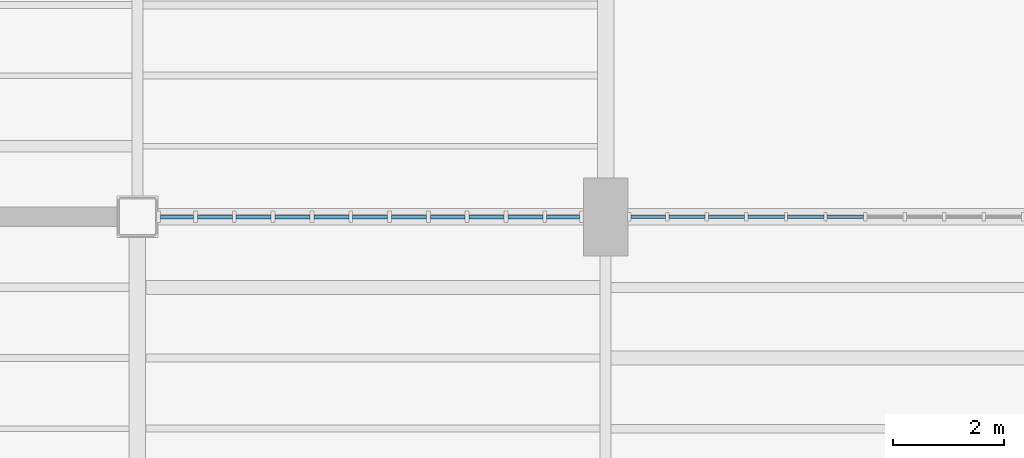
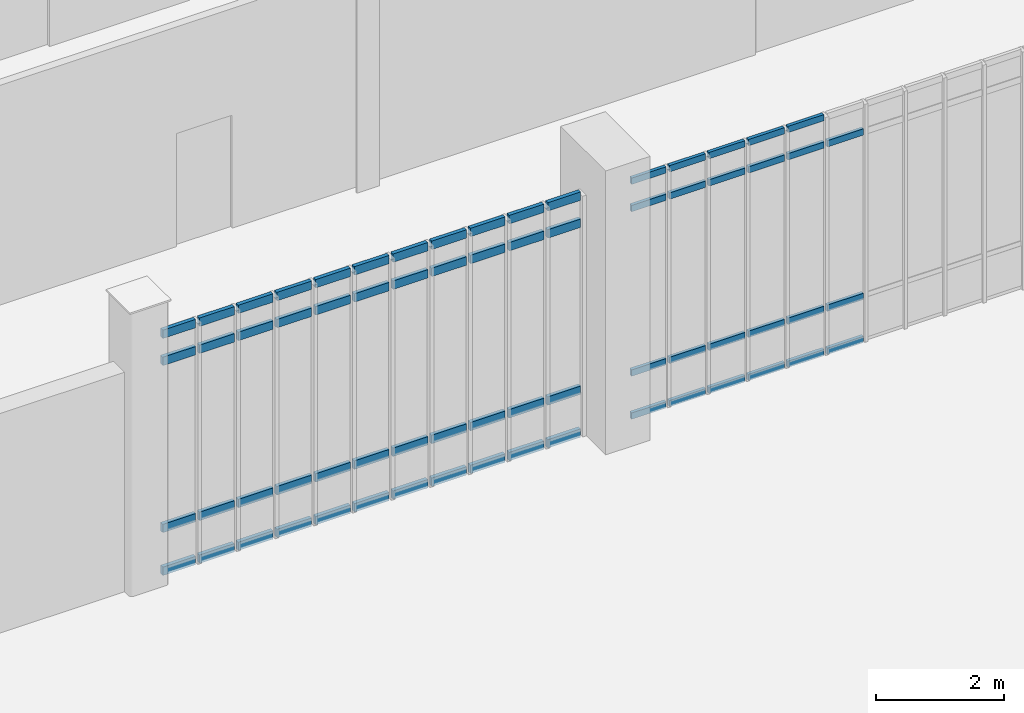
# One storey, part 47 of 127: 67 members, 2 elements without a shape of their own.
"""IFC4 building model written with IfcOpenShell, lengths in metres."""

from ifc_helpers import new_model, si_unit, direction, frame, origin, origin_2d, place, context, subcontext, project, spatial, rectangle, extrude, material, material_profile, profile_set, type_object, element, aggregate, save


model = new_model("IFC4")

# Units and contexts
model_context = context("Model", 3, precision=1e-05, world=origin(), true_north=direction((0.0, 1.0)))
body_context = subcontext(model_context, "Body", "Model", "MODEL_VIEW")
ifc_project = project(units=[si_unit("LENGTHUNIT", "METRE"), si_unit("AREAUNIT", "SQUARE_METRE"), si_unit("VOLUMEUNIT", "CUBIC_METRE"), si_unit("PLANEANGLEUNIT", "RADIAN"), si_unit("MASSUNIT", "GRAM", prefix="KILO")], contexts=[model_context])

# Site, building, storey
site_placement = place(None, origin())
site = spatial("IfcSite", under=ifc_project, at=site_placement, CompositionType="ELEMENT")
building_placement = place(site_placement, origin())
building = spatial("IfcBuilding", under=site, at=building_placement, Name="Larkvane Passage Sports Hall", CompositionType="ELEMENT")
storey_placement = place(building_placement, frame((0.0, 0.0, 5.39990234375)))
storey = spatial("IfcBuildingStorey", under=building, at=storey_placement, Name="L01", CompositionType="ELEMENT", Elevation=5.39990234375)

# Curtain wall, members
ifc_material_1 = material(Name="Thermally broken aluminium and low-E glazing", Category="aluminium")
curtain_wall_type_1 = type_object("IfcCurtainWallType", Name="CW-UNIT-COURT", PredefinedType="USERDEFINED", material=ifc_material_1)
curtain_wall_1_placement = place(storey_placement, origin())
curtain_wall_1 = element("IfcCurtainWall", 1, at=curtain_wall_1_placement, inside=storey, type_object=curtain_wall_type_1, Name="Curtain wall CW5-L01-028", ObjectType="UNITISED CURTAIN WALL", PredefinedType="USERDEFINED")
ifc_material_2 = material(Name="Anodised aluminium 6063-T6", Category="aluminium")
ifc_material_profile_1 = material_profile(ifc_material_2, rectangle(XDim=0.06005859375, YDim=0.1201171875, at=origin_2d()), Name="ALU-TRN-60x120")
ifc_profile_set_1 = profile_set([ifc_material_profile_1], Name="Anodised aluminium 6063-T6")
member_type_1 = type_object("IfcMemberType", Name="CW-TRN-60x120", PredefinedType="USERDEFINED", material=ifc_profile_set_1)
member_1_placement = place(storey_placement, frame((81.4248046875, 15.199951171875, 0.030029296875), z_axis=(-1.0, 0.0, 0.0), x_axis=(0.0, -1.0, 0.0)))
member_1 = element("IfcMember", 2, at=member_1_placement, type_object=member_type_1, Name="CW-01 transom 6.1", ObjectType="TRANSOM", PredefinedType="USERDEFINED", context=body_context, shape_type="SweptSolid", body=[
    extrude(rectangle(XDim=0.06005859375, YDim=0.1201171875, at=origin_2d()), origin(), (0.0, 0.0, 1.0), 0.649658203125),
])
member_2_placement = place(storey_placement, frame((81.4248046875, 15.199951171875, 0.85009765625), z_axis=(-1.0, 0.0, 0.0), x_axis=(0.0, -1.0, 0.0)))
member_2 = element("IfcMember", 3, at=member_2_placement, type_object=member_type_1, Name="CW-01 transom 6.2", ObjectType="TRANSOM", PredefinedType="USERDEFINED", context=body_context, shape_type="SweptSolid", body=[
    extrude(rectangle(XDim=0.06005859375, YDim=0.1201171875, at=origin_2d()), origin(), (0.0, 0.0, 1.0), 0.649658203125),
])
member_3_placement = place(storey_placement, frame((81.4248046875, 15.199951171875, 3.97802734375), z_axis=(-1.0, 0.0, 0.0), x_axis=(0.0, -1.0, 0.0)))
member_3 = element("IfcMember", 4, at=member_3_placement, type_object=member_type_1, Name="CW-01 transom 6.3", ObjectType="TRANSOM", PredefinedType="USERDEFINED", context=body_context, shape_type="SweptSolid", body=[
    extrude(rectangle(XDim=0.06005859375, YDim=0.1201171875, at=origin_2d()), origin(), (0.0, 0.0, 1.0), 0.649658203125),
])
member_4_placement = place(storey_placement, frame((80.715087890625, 15.199951171875, 0.030029296875), z_axis=(-1.0, 0.0, 0.0), x_axis=(0.0, -1.0, 0.0)))
member_4 = element("IfcMember", 5, at=member_4_placement, type_object=member_type_1, Name="CW-01 transom 7.1", ObjectType="TRANSOM", PredefinedType="USERDEFINED", context=body_context, shape_type="SweptSolid", body=[
    extrude(rectangle(XDim=0.06005859375, YDim=0.1201171875, at=origin_2d()), origin(), (0.0, 0.0, 1.0), 0.64990234375),
])
member_5_placement = place(storey_placement, frame((80.715087890625, 15.199951171875, 0.85009765625), z_axis=(-1.0, 0.0, 0.0), x_axis=(0.0, -1.0, 0.0)))
member_5 = element("IfcMember", 6, at=member_5_placement, type_object=member_type_1, Name="CW-01 transom 7.2", ObjectType="TRANSOM", PredefinedType="USERDEFINED", context=body_context, shape_type="SweptSolid", body=[
    extrude(rectangle(XDim=0.06005859375, YDim=0.1201171875, at=origin_2d()), origin(), (0.0, 0.0, 1.0), 0.64990234375),
])
member_6_placement = place(storey_placement, frame((80.715087890625, 15.199951171875, 3.97802734375), z_axis=(-1.0, 0.0, 0.0), x_axis=(0.0, -1.0, 0.0)))
member_6 = element("IfcMember", 7, at=member_6_placement, type_object=member_type_1, Name="CW-01 transom 7.3", ObjectType="TRANSOM", PredefinedType="USERDEFINED", context=body_context, shape_type="SweptSolid", body=[
    extrude(rectangle(XDim=0.06005859375, YDim=0.1201171875, at=origin_2d()), origin(), (0.0, 0.0, 1.0), 0.64990234375),
])
member_7_placement = place(storey_placement, frame((80.715087890625, 15.199951171875, 4.498046875), z_axis=(-1.0, 0.0, 0.0), x_axis=(0.0, -1.0, 0.0)))
member_7 = element("IfcMember", 8, at=member_7_placement, type_object=member_type_1, Name="CW-01 transom 7.4", ObjectType="TRANSOM", PredefinedType="USERDEFINED", context=body_context, shape_type="SweptSolid", body=[
    extrude(rectangle(XDim=0.06005859375, YDim=0.1201171875, at=origin_2d()), origin(), (0.0, 0.0, 1.0), 0.64990234375),
])
member_8_placement = place(storey_placement, frame((80.00537109375, 15.199951171875, 0.030029296875), z_axis=(-1.0, 0.0, 0.0), x_axis=(0.0, -1.0, 0.0)))
member_8 = element("IfcMember", 9, at=member_8_placement, type_object=member_type_1, Name="CW-01 transom 8.1", ObjectType="TRANSOM", PredefinedType="USERDEFINED", context=body_context, shape_type="SweptSolid", body=[
    extrude(rectangle(XDim=0.06005859375, YDim=0.1201171875, at=origin_2d()), origin(), (0.0, 0.0, 1.0), 0.64990234375),
])
member_9_placement = place(storey_placement, frame((80.00537109375, 15.199951171875, 0.85009765625), z_axis=(-1.0, 0.0, 0.0), x_axis=(0.0, -1.0, 0.0)))
member_9 = element("IfcMember", 10, at=member_9_placement, type_object=member_type_1, Name="CW-01 transom 8.2", ObjectType="TRANSOM", PredefinedType="USERDEFINED", context=body_context, shape_type="SweptSolid", body=[
    extrude(rectangle(XDim=0.06005859375, YDim=0.1201171875, at=origin_2d()), origin(), (0.0, 0.0, 1.0), 0.64990234375),
])
member_10_placement = place(storey_placement, frame((80.00537109375, 15.199951171875, 3.97802734375), z_axis=(-1.0, 0.0, 0.0), x_axis=(0.0, -1.0, 0.0)))
member_10 = element("IfcMember", 11, at=member_10_placement, type_object=member_type_1, Name="CW-01 transom 8.3", ObjectType="TRANSOM", PredefinedType="USERDEFINED", context=body_context, shape_type="SweptSolid", body=[
    extrude(rectangle(XDim=0.06005859375, YDim=0.1201171875, at=origin_2d()), origin(), (0.0, 0.0, 1.0), 0.64990234375),
])
member_11_placement = place(storey_placement, frame((80.00537109375, 15.199951171875, 4.498046875), z_axis=(-1.0, 0.0, 0.0), x_axis=(0.0, -1.0, 0.0)))
member_11 = element("IfcMember", 12, at=member_11_placement, type_object=member_type_1, Name="CW-01 transom 8.4", ObjectType="TRANSOM", PredefinedType="USERDEFINED", context=body_context, shape_type="SweptSolid", body=[
    extrude(rectangle(XDim=0.06005859375, YDim=0.1201171875, at=origin_2d()), origin(), (0.0, 0.0, 1.0), 0.64990234375),
])
member_12_placement = place(storey_placement, frame((79.29541015625, 15.199951171875, 0.030029296875), z_axis=(-1.0, 0.0, 0.0), x_axis=(0.0, -1.0, 0.0)))
member_12 = element("IfcMember", 13, at=member_12_placement, type_object=member_type_1, Name="CW-01 transom 9.1", ObjectType="TRANSOM", PredefinedType="USERDEFINED", context=body_context, shape_type="SweptSolid", body=[
    extrude(rectangle(XDim=0.06005859375, YDim=0.1201171875, at=origin_2d()), origin(), (0.0, 0.0, 1.0), 0.649658203125),
])
member_13_placement = place(storey_placement, frame((79.29541015625, 15.199951171875, 0.85009765625), z_axis=(-1.0, 0.0, 0.0), x_axis=(0.0, -1.0, 0.0)))
member_13 = element("IfcMember", 14, at=member_13_placement, type_object=member_type_1, Name="CW-01 transom 9.2", ObjectType="TRANSOM", PredefinedType="USERDEFINED", context=body_context, shape_type="SweptSolid", body=[
    extrude(rectangle(XDim=0.06005859375, YDim=0.1201171875, at=origin_2d()), origin(), (0.0, 0.0, 1.0), 0.649658203125),
])
member_14_placement = place(storey_placement, frame((79.29541015625, 15.199951171875, 3.97802734375), z_axis=(-1.0, 0.0, 0.0), x_axis=(0.0, -1.0, 0.0)))
member_14 = element("IfcMember", 15, at=member_14_placement, type_object=member_type_1, Name="CW-01 transom 9.3", ObjectType="TRANSOM", PredefinedType="USERDEFINED", context=body_context, shape_type="SweptSolid", body=[
    extrude(rectangle(XDim=0.06005859375, YDim=0.1201171875, at=origin_2d()), origin(), (0.0, 0.0, 1.0), 0.649658203125),
])
member_15_placement = place(storey_placement, frame((79.29541015625, 15.199951171875, 4.498046875), z_axis=(-1.0, 0.0, 0.0), x_axis=(0.0, -1.0, 0.0)))
member_15 = element("IfcMember", 16, at=member_15_placement, type_object=member_type_1, Name="CW-01 transom 9.4", ObjectType="TRANSOM", PredefinedType="USERDEFINED", context=body_context, shape_type="SweptSolid", body=[
    extrude(rectangle(XDim=0.06005859375, YDim=0.1201171875, at=origin_2d()), origin(), (0.0, 0.0, 1.0), 0.649658203125),
])
member_16_placement = place(storey_placement, frame((78.585693359375, 15.199951171875, 0.030029296875), z_axis=(-1.0, 0.0, 0.0), x_axis=(0.0, -1.0, 0.0)))
member_16 = element("IfcMember", 17, at=member_16_placement, type_object=member_type_1, Name="CW-01 transom 10.1", ObjectType="TRANSOM", PredefinedType="USERDEFINED", context=body_context, shape_type="SweptSolid", body=[
    extrude(rectangle(XDim=0.06005859375, YDim=0.1201171875, at=origin_2d()), origin(), (0.0, 0.0, 1.0), 0.64990234375),
])
member_17_placement = place(storey_placement, frame((78.585693359375, 15.199951171875, 0.85009765625), z_axis=(-1.0, 0.0, 0.0), x_axis=(0.0, -1.0, 0.0)))
member_17 = element("IfcMember", 18, at=member_17_placement, type_object=member_type_1, Name="CW-01 transom 10.2", ObjectType="TRANSOM", PredefinedType="USERDEFINED", context=body_context, shape_type="SweptSolid", body=[
    extrude(rectangle(XDim=0.06005859375, YDim=0.1201171875, at=origin_2d()), origin(), (0.0, 0.0, 1.0), 0.64990234375),
])
member_18_placement = place(storey_placement, frame((78.585693359375, 15.199951171875, 3.97802734375), z_axis=(-1.0, 0.0, 0.0), x_axis=(0.0, -1.0, 0.0)))
member_18 = element("IfcMember", 19, at=member_18_placement, type_object=member_type_1, Name="CW-01 transom 10.3", ObjectType="TRANSOM", PredefinedType="USERDEFINED", context=body_context, shape_type="SweptSolid", body=[
    extrude(rectangle(XDim=0.06005859375, YDim=0.1201171875, at=origin_2d()), origin(), (0.0, 0.0, 1.0), 0.64990234375),
])
member_19_placement = place(storey_placement, frame((78.585693359375, 15.199951171875, 4.498046875), z_axis=(-1.0, 0.0, 0.0), x_axis=(0.0, -1.0, 0.0)))
member_19 = element("IfcMember", 20, at=member_19_placement, type_object=member_type_1, Name="CW-01 transom 10.4", ObjectType="TRANSOM", PredefinedType="USERDEFINED", context=body_context, shape_type="SweptSolid", body=[
    extrude(rectangle(XDim=0.06005859375, YDim=0.1201171875, at=origin_2d()), origin(), (0.0, 0.0, 1.0), 0.64990234375),
])
member_20_placement = place(storey_placement, frame((77.875732421875, 15.199951171875, 0.030029296875), z_axis=(-1.0, 0.0, 0.0), x_axis=(0.0, -1.0, 0.0)))
member_20 = element("IfcMember", 21, at=member_20_placement, type_object=member_type_1, Name="CW-01 transom 11.1", ObjectType="TRANSOM", PredefinedType="USERDEFINED", context=body_context, shape_type="SweptSolid", body=[
    extrude(rectangle(XDim=0.06005859375, YDim=0.1201171875, at=origin_2d()), origin(), (0.0, 0.0, 1.0), 0.61962890625),
])
member_21_placement = place(storey_placement, frame((77.875732421875, 15.199951171875, 0.85009765625), z_axis=(-1.0, 0.0, 0.0), x_axis=(0.0, -1.0, 0.0)))
member_21 = element("IfcMember", 22, at=member_21_placement, type_object=member_type_1, Name="CW-01 transom 11.2", ObjectType="TRANSOM", PredefinedType="USERDEFINED", context=body_context, shape_type="SweptSolid", body=[
    extrude(rectangle(XDim=0.06005859375, YDim=0.1201171875, at=origin_2d()), origin(), (0.0, 0.0, 1.0), 0.61962890625),
])
member_22_placement = place(storey_placement, frame((77.875732421875, 15.199951171875, 3.97802734375), z_axis=(-1.0, 0.0, 0.0), x_axis=(0.0, -1.0, 0.0)))
member_22 = element("IfcMember", 23, at=member_22_placement, type_object=member_type_1, Name="CW-01 transom 11.3", ObjectType="TRANSOM", PredefinedType="USERDEFINED", context=body_context, shape_type="SweptSolid", body=[
    extrude(rectangle(XDim=0.06005859375, YDim=0.1201171875, at=origin_2d()), origin(), (0.0, 0.0, 1.0), 0.61962890625),
])
member_23_placement = place(storey_placement, frame((77.875732421875, 15.199951171875, 4.498046875), z_axis=(-1.0, 0.0, 0.0), x_axis=(0.0, -1.0, 0.0)))
member_23 = element("IfcMember", 24, at=member_23_placement, type_object=member_type_1, Name="CW-01 transom 11.4", ObjectType="TRANSOM", PredefinedType="USERDEFINED", context=body_context, shape_type="SweptSolid", body=[
    extrude(rectangle(XDim=0.06005859375, YDim=0.1201171875, at=origin_2d()), origin(), (0.0, 0.0, 1.0), 0.61962890625),
])
aggregate(curtain_wall_1, [member_1, member_2, member_3, member_4, member_5, member_6, member_7, member_8, member_9, member_10, member_11, member_12, member_13, member_14, member_15, member_16, member_17, member_18, member_19, member_20, member_21, member_22, member_23])

curtain_wall_type_2 = type_object("IfcCurtainWallType", Name="CW-UNIT-VEIL", PredefinedType="USERDEFINED", material=ifc_material_1)
curtain_wall_2_placement = place(storey_placement, origin())
curtain_wall_2 = element("IfcCurtainWall", 25, at=curtain_wall_2_placement, inside=storey, type_object=curtain_wall_type_2, Name="Curtain wall CW5-L01-029", ObjectType="UNITISED CURTAIN WALL", PredefinedType="USERDEFINED")
ifc_material_profile_2 = material_profile(ifc_material_2, rectangle(XDim=0.070068359375, YDim=0.159912109375, at=origin_2d()), Name="ALU-TRN-70x160")
ifc_profile_set_2 = profile_set([ifc_material_profile_2], Name="Anodised aluminium 6063-T6")
member_type_2 = type_object("IfcMemberType", Name="CW-TRN-70x160", PredefinedType="USERDEFINED", material=ifc_profile_set_2)
member_24_placement = place(storey_placement, frame((76.333984375, 15.199951171875, 0.03515625), z_axis=(-1.0, 0.0, 0.0), x_axis=(0.0, -1.0, 0.0)))
member_24 = element("IfcMember", 26, at=member_24_placement, type_object=member_type_2, Name="CW-02 transom 1.1", ObjectType="TRANSOM", PredefinedType="USERDEFINED", context=body_context, shape_type="SweptSolid", body=[
    extrude(rectangle(XDim=0.070068359375, YDim=0.159912109375, at=origin_2d()), origin(), (0.0, 0.0, 1.0), 0.591064453125),
])
member_25_placement = place(storey_placement, frame((76.333984375, 15.199951171875, 0.85009765625), z_axis=(-1.0, 0.0, 0.0), x_axis=(0.0, -1.0, 0.0)))
member_25 = element("IfcMember", 27, at=member_25_placement, type_object=member_type_2, Name="CW-02 transom 1.2", ObjectType="TRANSOM", PredefinedType="USERDEFINED", context=body_context, shape_type="SweptSolid", body=[
    extrude(rectangle(XDim=0.070068359375, YDim=0.159912109375, at=origin_2d()), origin(), (0.0, 0.0, 1.0), 0.591064453125),
])
member_26_placement = place(storey_placement, frame((76.333984375, 15.199951171875, 4.028076171875), z_axis=(-1.0, 0.0, 0.0), x_axis=(0.0, -1.0, 0.0)))
member_26 = element("IfcMember", 28, at=member_26_placement, type_object=member_type_2, Name="CW-02 transom 1.3", ObjectType="TRANSOM", PredefinedType="USERDEFINED", context=body_context, shape_type="SweptSolid", body=[
    extrude(rectangle(XDim=0.070068359375, YDim=0.159912109375, at=origin_2d()), origin(), (0.0, 0.0, 1.0), 0.591064453125),
])
member_27_placement = place(storey_placement, frame((76.333984375, 15.199951171875, 4.543212890625), z_axis=(-1.0, 0.0, 0.0), x_axis=(0.0, -1.0, 0.0)))
member_27 = element("IfcMember", 29, at=member_27_placement, type_object=member_type_2, Name="CW-02 transom 1.4", ObjectType="TRANSOM", PredefinedType="USERDEFINED", context=body_context, shape_type="SweptSolid", body=[
    extrude(rectangle(XDim=0.070068359375, YDim=0.159912109375, at=origin_2d()), origin(), (0.0, 0.0, 1.0), 0.591064453125),
])
member_28_placement = place(storey_placement, frame((75.6728515625, 15.199951171875, 0.03515625), z_axis=(-1.0, 0.0, 0.0), x_axis=(0.0, -1.0, 0.0)))
member_28 = element("IfcMember", 30, at=member_28_placement, type_object=member_type_2, Name="CW-02 transom 2.1", ObjectType="TRANSOM", PredefinedType="USERDEFINED", context=body_context, shape_type="SweptSolid", body=[
    extrude(rectangle(XDim=0.070068359375, YDim=0.159912109375, at=origin_2d()), origin(), (0.0, 0.0, 1.0), 0.626220703125),
])
member_29_placement = place(storey_placement, frame((75.6728515625, 15.199951171875, 0.85009765625), z_axis=(-1.0, 0.0, 0.0), x_axis=(0.0, -1.0, 0.0)))
member_29 = element("IfcMember", 31, at=member_29_placement, type_object=member_type_2, Name="CW-02 transom 2.2", ObjectType="TRANSOM", PredefinedType="USERDEFINED", context=body_context, shape_type="SweptSolid", body=[
    extrude(rectangle(XDim=0.070068359375, YDim=0.159912109375, at=origin_2d()), origin(), (0.0, 0.0, 1.0), 0.626220703125),
])
member_30_placement = place(storey_placement, frame((75.6728515625, 15.199951171875, 4.028076171875), z_axis=(-1.0, 0.0, 0.0), x_axis=(0.0, -1.0, 0.0)))
member_30 = element("IfcMember", 32, at=member_30_placement, type_object=member_type_2, Name="CW-02 transom 2.3", ObjectType="TRANSOM", PredefinedType="USERDEFINED", context=body_context, shape_type="SweptSolid", body=[
    extrude(rectangle(XDim=0.070068359375, YDim=0.159912109375, at=origin_2d()), origin(), (0.0, 0.0, 1.0), 0.626220703125),
])
member_31_placement = place(storey_placement, frame((75.6728515625, 15.199951171875, 4.543212890625), z_axis=(-1.0, 0.0, 0.0), x_axis=(0.0, -1.0, 0.0)))
member_31 = element("IfcMember", 33, at=member_31_placement, type_object=member_type_2, Name="CW-02 transom 2.4", ObjectType="TRANSOM", PredefinedType="USERDEFINED", context=body_context, shape_type="SweptSolid", body=[
    extrude(rectangle(XDim=0.070068359375, YDim=0.159912109375, at=origin_2d()), origin(), (0.0, 0.0, 1.0), 0.626220703125),
])
member_32_placement = place(storey_placement, frame((74.9765625, 15.199951171875, 0.03515625), z_axis=(-1.0, 0.0, 0.0), x_axis=(0.0, -1.0, 0.0)))
member_32 = element("IfcMember", 34, at=member_32_placement, type_object=member_type_2, Name="CW-02 transom 3.1", ObjectType="TRANSOM", PredefinedType="USERDEFINED", context=body_context, shape_type="SweptSolid", body=[
    extrude(rectangle(XDim=0.070068359375, YDim=0.159912109375, at=origin_2d()), origin(), (0.0, 0.0, 1.0), 0.626220703125),
])
member_33_placement = place(storey_placement, frame((74.9765625, 15.199951171875, 0.85009765625), z_axis=(-1.0, 0.0, 0.0), x_axis=(0.0, -1.0, 0.0)))
member_33 = element("IfcMember", 35, at=member_33_placement, type_object=member_type_2, Name="CW-02 transom 3.2", ObjectType="TRANSOM", PredefinedType="USERDEFINED", context=body_context, shape_type="SweptSolid", body=[
    extrude(rectangle(XDim=0.070068359375, YDim=0.159912109375, at=origin_2d()), origin(), (0.0, 0.0, 1.0), 0.626220703125),
])
member_34_placement = place(storey_placement, frame((74.9765625, 15.199951171875, 4.028076171875), z_axis=(-1.0, 0.0, 0.0), x_axis=(0.0, -1.0, 0.0)))
member_34 = element("IfcMember", 36, at=member_34_placement, type_object=member_type_2, Name="CW-02 transom 3.3", ObjectType="TRANSOM", PredefinedType="USERDEFINED", context=body_context, shape_type="SweptSolid", body=[
    extrude(rectangle(XDim=0.070068359375, YDim=0.159912109375, at=origin_2d()), origin(), (0.0, 0.0, 1.0), 0.626220703125),
])
member_35_placement = place(storey_placement, frame((74.9765625, 15.199951171875, 4.543212890625), z_axis=(-1.0, 0.0, 0.0), x_axis=(0.0, -1.0, 0.0)))
member_35 = element("IfcMember", 37, at=member_35_placement, type_object=member_type_2, Name="CW-02 transom 3.4", ObjectType="TRANSOM", PredefinedType="USERDEFINED", context=body_context, shape_type="SweptSolid", body=[
    extrude(rectangle(XDim=0.070068359375, YDim=0.159912109375, at=origin_2d()), origin(), (0.0, 0.0, 1.0), 0.626220703125),
])
member_36_placement = place(storey_placement, frame((74.280517578125, 15.199951171875, 0.03515625), z_axis=(-1.0, 0.0, 0.0), x_axis=(0.0, -1.0, 0.0)))
member_36 = element("IfcMember", 38, at=member_36_placement, type_object=member_type_2, Name="CW-02 transom 4.1", ObjectType="TRANSOM", PredefinedType="USERDEFINED", context=body_context, shape_type="SweptSolid", body=[
    extrude(rectangle(XDim=0.070068359375, YDim=0.159912109375, at=origin_2d()), origin(), (0.0, 0.0, 1.0), 0.626220703125),
])
member_37_placement = place(storey_placement, frame((74.280517578125, 15.199951171875, 0.85009765625), z_axis=(-1.0, 0.0, 0.0), x_axis=(0.0, -1.0, 0.0)))
member_37 = element("IfcMember", 39, at=member_37_placement, type_object=member_type_2, Name="CW-02 transom 4.2", ObjectType="TRANSOM", PredefinedType="USERDEFINED", context=body_context, shape_type="SweptSolid", body=[
    extrude(rectangle(XDim=0.070068359375, YDim=0.159912109375, at=origin_2d()), origin(), (0.0, 0.0, 1.0), 0.626220703125),
])
member_38_placement = place(storey_placement, frame((74.280517578125, 15.199951171875, 4.028076171875), z_axis=(-1.0, 0.0, 0.0), x_axis=(0.0, -1.0, 0.0)))
member_38 = element("IfcMember", 40, at=member_38_placement, type_object=member_type_2, Name="CW-02 transom 4.3", ObjectType="TRANSOM", PredefinedType="USERDEFINED", context=body_context, shape_type="SweptSolid", body=[
    extrude(rectangle(XDim=0.070068359375, YDim=0.159912109375, at=origin_2d()), origin(), (0.0, 0.0, 1.0), 0.626220703125),
])
member_39_placement = place(storey_placement, frame((74.280517578125, 15.199951171875, 4.543212890625), z_axis=(-1.0, 0.0, 0.0), x_axis=(0.0, -1.0, 0.0)))
member_39 = element("IfcMember", 41, at=member_39_placement, type_object=member_type_2, Name="CW-02 transom 4.4", ObjectType="TRANSOM", PredefinedType="USERDEFINED", context=body_context, shape_type="SweptSolid", body=[
    extrude(rectangle(XDim=0.070068359375, YDim=0.159912109375, at=origin_2d()), origin(), (0.0, 0.0, 1.0), 0.626220703125),
])
member_40_placement = place(storey_placement, frame((73.584228515625, 15.199951171875, 0.03515625), z_axis=(-1.0, 0.0, 0.0), x_axis=(0.0, -1.0, 0.0)))
member_40 = element("IfcMember", 42, at=member_40_placement, type_object=member_type_2, Name="CW-02 transom 5.1", ObjectType="TRANSOM", PredefinedType="USERDEFINED", context=body_context, shape_type="SweptSolid", body=[
    extrude(rectangle(XDim=0.070068359375, YDim=0.159912109375, at=origin_2d()), origin(), (0.0, 0.0, 1.0), 0.626220703125),
])
member_41_placement = place(storey_placement, frame((73.584228515625, 15.199951171875, 0.85009765625), z_axis=(-1.0, 0.0, 0.0), x_axis=(0.0, -1.0, 0.0)))
member_41 = element("IfcMember", 43, at=member_41_placement, type_object=member_type_2, Name="CW-02 transom 5.2", ObjectType="TRANSOM", PredefinedType="USERDEFINED", context=body_context, shape_type="SweptSolid", body=[
    extrude(rectangle(XDim=0.070068359375, YDim=0.159912109375, at=origin_2d()), origin(), (0.0, 0.0, 1.0), 0.626220703125),
])
member_42_placement = place(storey_placement, frame((73.584228515625, 15.199951171875, 4.028076171875), z_axis=(-1.0, 0.0, 0.0), x_axis=(0.0, -1.0, 0.0)))
member_42 = element("IfcMember", 44, at=member_42_placement, type_object=member_type_2, Name="CW-02 transom 5.3", ObjectType="TRANSOM", PredefinedType="USERDEFINED", context=body_context, shape_type="SweptSolid", body=[
    extrude(rectangle(XDim=0.070068359375, YDim=0.159912109375, at=origin_2d()), origin(), (0.0, 0.0, 1.0), 0.626220703125),
])
member_43_placement = place(storey_placement, frame((73.584228515625, 15.199951171875, 4.543212890625), z_axis=(-1.0, 0.0, 0.0), x_axis=(0.0, -1.0, 0.0)))
member_43 = element("IfcMember", 45, at=member_43_placement, type_object=member_type_2, Name="CW-02 transom 5.4", ObjectType="TRANSOM", PredefinedType="USERDEFINED", context=body_context, shape_type="SweptSolid", body=[
    extrude(rectangle(XDim=0.070068359375, YDim=0.159912109375, at=origin_2d()), origin(), (0.0, 0.0, 1.0), 0.626220703125),
])
member_44_placement = place(storey_placement, frame((72.88818359375, 15.199951171875, 0.03515625), z_axis=(-1.0, 0.0, 0.0), x_axis=(0.0, -1.0, 0.0)))
member_44 = element("IfcMember", 46, at=member_44_placement, type_object=member_type_2, Name="CW-02 transom 6.1", ObjectType="TRANSOM", PredefinedType="USERDEFINED", context=body_context, shape_type="SweptSolid", body=[
    extrude(rectangle(XDim=0.070068359375, YDim=0.159912109375, at=origin_2d()), origin(), (0.0, 0.0, 1.0), 0.626220703125),
])
member_45_placement = place(storey_placement, frame((72.88818359375, 15.199951171875, 0.85009765625), z_axis=(-1.0, 0.0, 0.0), x_axis=(0.0, -1.0, 0.0)))
member_45 = element("IfcMember", 47, at=member_45_placement, type_object=member_type_2, Name="CW-02 transom 6.2", ObjectType="TRANSOM", PredefinedType="USERDEFINED", context=body_context, shape_type="SweptSolid", body=[
    extrude(rectangle(XDim=0.070068359375, YDim=0.159912109375, at=origin_2d()), origin(), (0.0, 0.0, 1.0), 0.626220703125),
])
member_46_placement = place(storey_placement, frame((72.88818359375, 15.199951171875, 4.028076171875), z_axis=(-1.0, 0.0, 0.0), x_axis=(0.0, -1.0, 0.0)))
member_46 = element("IfcMember", 48, at=member_46_placement, type_object=member_type_2, Name="CW-02 transom 6.3", ObjectType="TRANSOM", PredefinedType="USERDEFINED", context=body_context, shape_type="SweptSolid", body=[
    extrude(rectangle(XDim=0.070068359375, YDim=0.159912109375, at=origin_2d()), origin(), (0.0, 0.0, 1.0), 0.626220703125),
])
member_47_placement = place(storey_placement, frame((72.88818359375, 15.199951171875, 4.543212890625), z_axis=(-1.0, 0.0, 0.0), x_axis=(0.0, -1.0, 0.0)))
member_47 = element("IfcMember", 49, at=member_47_placement, type_object=member_type_2, Name="CW-02 transom 6.4", ObjectType="TRANSOM", PredefinedType="USERDEFINED", context=body_context, shape_type="SweptSolid", body=[
    extrude(rectangle(XDim=0.070068359375, YDim=0.159912109375, at=origin_2d()), origin(), (0.0, 0.0, 1.0), 0.626220703125),
])
member_48_placement = place(storey_placement, frame((72.19189453125, 15.199951171875, 0.03515625), z_axis=(-1.0, 0.0, 0.0), x_axis=(0.0, -1.0, 0.0)))
member_48 = element("IfcMember", 50, at=member_48_placement, type_object=member_type_2, Name="CW-02 transom 7.1", ObjectType="TRANSOM", PredefinedType="USERDEFINED", context=body_context, shape_type="SweptSolid", body=[
    extrude(rectangle(XDim=0.070068359375, YDim=0.159912109375, at=origin_2d()), origin(), (0.0, 0.0, 1.0), 0.626220703125),
])
member_49_placement = place(storey_placement, frame((72.19189453125, 15.199951171875, 0.85009765625), z_axis=(-1.0, 0.0, 0.0), x_axis=(0.0, -1.0, 0.0)))
member_49 = element("IfcMember", 51, at=member_49_placement, type_object=member_type_2, Name="CW-02 transom 7.2", ObjectType="TRANSOM", PredefinedType="USERDEFINED", context=body_context, shape_type="SweptSolid", body=[
    extrude(rectangle(XDim=0.070068359375, YDim=0.159912109375, at=origin_2d()), origin(), (0.0, 0.0, 1.0), 0.626220703125),
])
member_50_placement = place(storey_placement, frame((72.19189453125, 15.199951171875, 4.028076171875), z_axis=(-1.0, 0.0, 0.0), x_axis=(0.0, -1.0, 0.0)))
member_50 = element("IfcMember", 52, at=member_50_placement, type_object=member_type_2, Name="CW-02 transom 7.3", ObjectType="TRANSOM", PredefinedType="USERDEFINED", context=body_context, shape_type="SweptSolid", body=[
    extrude(rectangle(XDim=0.070068359375, YDim=0.159912109375, at=origin_2d()), origin(), (0.0, 0.0, 1.0), 0.626220703125),
])
member_51_placement = place(storey_placement, frame((72.19189453125, 15.199951171875, 4.543212890625), z_axis=(-1.0, 0.0, 0.0), x_axis=(0.0, -1.0, 0.0)))
member_51 = element("IfcMember", 53, at=member_51_placement, type_object=member_type_2, Name="CW-02 transom 7.4", ObjectType="TRANSOM", PredefinedType="USERDEFINED", context=body_context, shape_type="SweptSolid", body=[
    extrude(rectangle(XDim=0.070068359375, YDim=0.159912109375, at=origin_2d()), origin(), (0.0, 0.0, 1.0), 0.626220703125),
])
member_52_placement = place(storey_placement, frame((71.49560546875, 15.199951171875, 0.03515625), z_axis=(-1.0, 0.0, 0.0), x_axis=(0.0, -1.0, 0.0)))
member_52 = element("IfcMember", 54, at=member_52_placement, type_object=member_type_2, Name="CW-02 transom 8.1", ObjectType="TRANSOM", PredefinedType="USERDEFINED", context=body_context, shape_type="SweptSolid", body=[
    extrude(rectangle(XDim=0.070068359375, YDim=0.159912109375, at=origin_2d()), origin(), (0.0, 0.0, 1.0), 0.6259765625),
])
member_53_placement = place(storey_placement, frame((71.49560546875, 15.199951171875, 0.85009765625), z_axis=(-1.0, 0.0, 0.0), x_axis=(0.0, -1.0, 0.0)))
member_53 = element("IfcMember", 55, at=member_53_placement, type_object=member_type_2, Name="CW-02 transom 8.2", ObjectType="TRANSOM", PredefinedType="USERDEFINED", context=body_context, shape_type="SweptSolid", body=[
    extrude(rectangle(XDim=0.070068359375, YDim=0.159912109375, at=origin_2d()), origin(), (0.0, 0.0, 1.0), 0.6259765625),
])
member_54_placement = place(storey_placement, frame((71.49560546875, 15.199951171875, 4.028076171875), z_axis=(-1.0, 0.0, 0.0), x_axis=(0.0, -1.0, 0.0)))
member_54 = element("IfcMember", 56, at=member_54_placement, type_object=member_type_2, Name="CW-02 transom 8.3", ObjectType="TRANSOM", PredefinedType="USERDEFINED", context=body_context, shape_type="SweptSolid", body=[
    extrude(rectangle(XDim=0.070068359375, YDim=0.159912109375, at=origin_2d()), origin(), (0.0, 0.0, 1.0), 0.6259765625),
])
member_55_placement = place(storey_placement, frame((71.49560546875, 15.199951171875, 4.543212890625), z_axis=(-1.0, 0.0, 0.0), x_axis=(0.0, -1.0, 0.0)))
member_55 = element("IfcMember", 57, at=member_55_placement, type_object=member_type_2, Name="CW-02 transom 8.4", ObjectType="TRANSOM", PredefinedType="USERDEFINED", context=body_context, shape_type="SweptSolid", body=[
    extrude(rectangle(XDim=0.070068359375, YDim=0.159912109375, at=origin_2d()), origin(), (0.0, 0.0, 1.0), 0.6259765625),
])
member_56_placement = place(storey_placement, frame((70.799560546875, 15.199951171875, 0.03515625), z_axis=(-1.0, 0.0, 0.0), x_axis=(0.0, -1.0, 0.0)))
member_56 = element("IfcMember", 58, at=member_56_placement, type_object=member_type_2, Name="CW-02 transom 9.1", ObjectType="TRANSOM", PredefinedType="USERDEFINED", context=body_context, shape_type="SweptSolid", body=[
    extrude(rectangle(XDim=0.070068359375, YDim=0.159912109375, at=origin_2d()), origin(), (0.0, 0.0, 1.0), 0.626220703125),
])
member_57_placement = place(storey_placement, frame((70.799560546875, 15.199951171875, 0.85009765625), z_axis=(-1.0, 0.0, 0.0), x_axis=(0.0, -1.0, 0.0)))
member_57 = element("IfcMember", 59, at=member_57_placement, type_object=member_type_2, Name="CW-02 transom 9.2", ObjectType="TRANSOM", PredefinedType="USERDEFINED", context=body_context, shape_type="SweptSolid", body=[
    extrude(rectangle(XDim=0.070068359375, YDim=0.159912109375, at=origin_2d()), origin(), (0.0, 0.0, 1.0), 0.626220703125),
])
member_58_placement = place(storey_placement, frame((70.799560546875, 15.199951171875, 4.028076171875), z_axis=(-1.0, 0.0, 0.0), x_axis=(0.0, -1.0, 0.0)))
member_58 = element("IfcMember", 60, at=member_58_placement, type_object=member_type_2, Name="CW-02 transom 9.3", ObjectType="TRANSOM", PredefinedType="USERDEFINED", context=body_context, shape_type="SweptSolid", body=[
    extrude(rectangle(XDim=0.070068359375, YDim=0.159912109375, at=origin_2d()), origin(), (0.0, 0.0, 1.0), 0.626220703125),
])
member_59_placement = place(storey_placement, frame((70.799560546875, 15.199951171875, 4.543212890625), z_axis=(-1.0, 0.0, 0.0), x_axis=(0.0, -1.0, 0.0)))
member_59 = element("IfcMember", 61, at=member_59_placement, type_object=member_type_2, Name="CW-02 transom 9.4", ObjectType="TRANSOM", PredefinedType="USERDEFINED", context=body_context, shape_type="SweptSolid", body=[
    extrude(rectangle(XDim=0.070068359375, YDim=0.159912109375, at=origin_2d()), origin(), (0.0, 0.0, 1.0), 0.626220703125),
])
member_60_placement = place(storey_placement, frame((70.103271484375, 15.199951171875, 0.03515625), z_axis=(-1.0, 0.0, 0.0), x_axis=(0.0, -1.0, 0.0)))
member_60 = element("IfcMember", 62, at=member_60_placement, type_object=member_type_2, Name="CW-02 transom 10.1", ObjectType="TRANSOM", PredefinedType="USERDEFINED", context=body_context, shape_type="SweptSolid", body=[
    extrude(rectangle(XDim=0.070068359375, YDim=0.159912109375, at=origin_2d()), origin(), (0.0, 0.0, 1.0), 0.6259765625),
])
member_61_placement = place(storey_placement, frame((70.103271484375, 15.199951171875, 0.85009765625), z_axis=(-1.0, 0.0, 0.0), x_axis=(0.0, -1.0, 0.0)))
member_61 = element("IfcMember", 63, at=member_61_placement, type_object=member_type_2, Name="CW-02 transom 10.2", ObjectType="TRANSOM", PredefinedType="USERDEFINED", context=body_context, shape_type="SweptSolid", body=[
    extrude(rectangle(XDim=0.070068359375, YDim=0.159912109375, at=origin_2d()), origin(), (0.0, 0.0, 1.0), 0.6259765625),
])
member_62_placement = place(storey_placement, frame((70.103271484375, 15.199951171875, 4.028076171875), z_axis=(-1.0, 0.0, 0.0), x_axis=(0.0, -1.0, 0.0)))
member_62 = element("IfcMember", 64, at=member_62_placement, type_object=member_type_2, Name="CW-02 transom 10.3", ObjectType="TRANSOM", PredefinedType="USERDEFINED", context=body_context, shape_type="SweptSolid", body=[
    extrude(rectangle(XDim=0.070068359375, YDim=0.159912109375, at=origin_2d()), origin(), (0.0, 0.0, 1.0), 0.6259765625),
])
member_63_placement = place(storey_placement, frame((70.103271484375, 15.199951171875, 4.543212890625), z_axis=(-1.0, 0.0, 0.0), x_axis=(0.0, -1.0, 0.0)))
member_63 = element("IfcMember", 65, at=member_63_placement, type_object=member_type_2, Name="CW-02 transom 10.4", ObjectType="TRANSOM", PredefinedType="USERDEFINED", context=body_context, shape_type="SweptSolid", body=[
    extrude(rectangle(XDim=0.070068359375, YDim=0.159912109375, at=origin_2d()), origin(), (0.0, 0.0, 1.0), 0.6259765625),
])
member_64_placement = place(storey_placement, frame((69.4072265625, 15.199951171875, 0.03515625), z_axis=(-1.0, 0.0, 0.0), x_axis=(0.0, -1.0, 0.0)))
member_64 = element("IfcMember", 66, at=member_64_placement, type_object=member_type_2, Name="CW-02 transom 11.1", ObjectType="TRANSOM", PredefinedType="USERDEFINED", context=body_context, shape_type="SweptSolid", body=[
    extrude(rectangle(XDim=0.070068359375, YDim=0.159912109375, at=origin_2d()), origin(), (0.0, 0.0, 1.0), 0.59130859375),
])
member_65_placement = place(storey_placement, frame((69.4072265625, 15.199951171875, 0.85009765625), z_axis=(-1.0, 0.0, 0.0), x_axis=(0.0, -1.0, 0.0)))
member_65 = element("IfcMember", 67, at=member_65_placement, type_object=member_type_2, Name="CW-02 transom 11.2", ObjectType="TRANSOM", PredefinedType="USERDEFINED", context=body_context, shape_type="SweptSolid", body=[
    extrude(rectangle(XDim=0.070068359375, YDim=0.159912109375, at=origin_2d()), origin(), (0.0, 0.0, 1.0), 0.59130859375),
])
member_66_placement = place(storey_placement, frame((69.4072265625, 15.199951171875, 4.028076171875), z_axis=(-1.0, 0.0, 0.0), x_axis=(0.0, -1.0, 0.0)))
member_66 = element("IfcMember", 68, at=member_66_placement, type_object=member_type_2, Name="CW-02 transom 11.3", ObjectType="TRANSOM", PredefinedType="USERDEFINED", context=body_context, shape_type="SweptSolid", body=[
    extrude(rectangle(XDim=0.070068359375, YDim=0.159912109375, at=origin_2d()), origin(), (0.0, 0.0, 1.0), 0.59130859375),
])
member_67_placement = place(storey_placement, frame((69.4072265625, 15.199951171875, 4.543212890625), z_axis=(-1.0, 0.0, 0.0), x_axis=(0.0, -1.0, 0.0)))
member_67 = element("IfcMember", 69, at=member_67_placement, type_object=member_type_2, Name="CW-02 transom 11.4", ObjectType="TRANSOM", PredefinedType="USERDEFINED", context=body_context, shape_type="SweptSolid", body=[
    extrude(rectangle(XDim=0.070068359375, YDim=0.159912109375, at=origin_2d()), origin(), (0.0, 0.0, 1.0), 0.59130859375),
])
aggregate(curtain_wall_2, [member_24, member_25, member_26, member_27, member_28, member_29, member_30, member_31, member_32, member_33, member_34, member_35, member_36, member_37, member_38, member_39, member_40, member_41, member_42, member_43, member_44, member_45, member_46, member_47, member_48, member_49, member_50, member_51, member_52, member_53, member_54, member_55, member_56, member_57, member_58, member_59, member_60, member_61, member_62, member_63, member_64, member_65, member_66, member_67])

save(model, "model.ifc")
